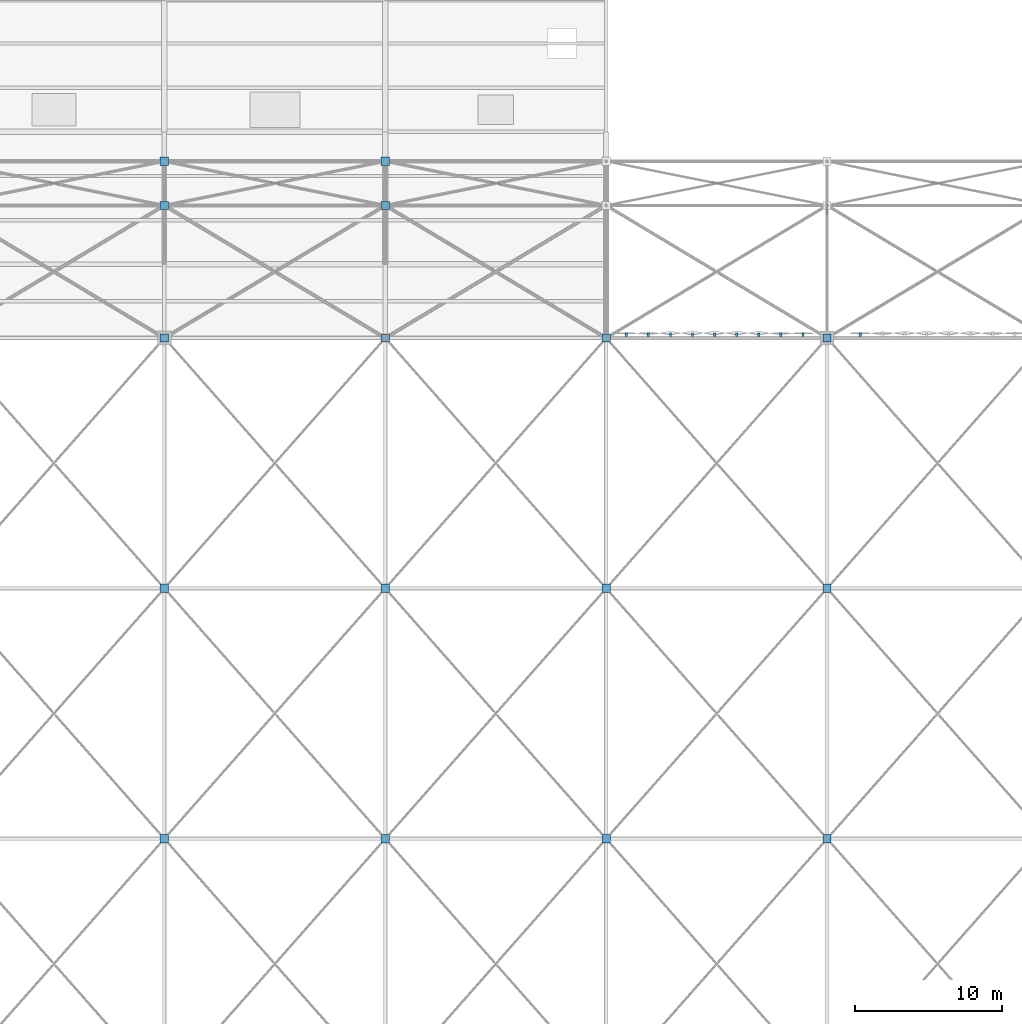
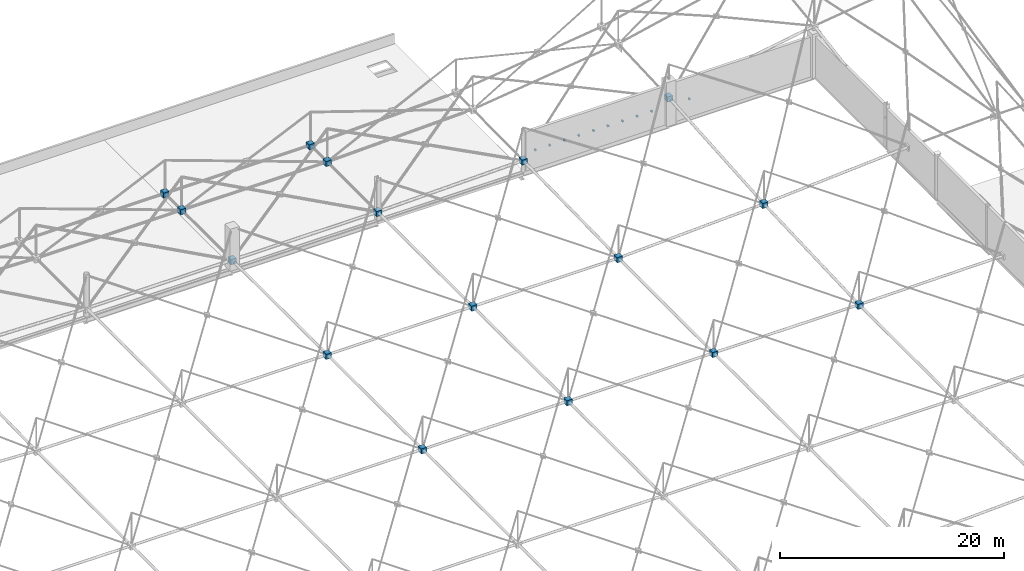
# One storey, part 211 of 224: 26 discrete accessories.
"""IFC4 building model written with IfcOpenShell, lengths in metres."""

from ifc_helpers import new_model, si_unit, direction, frame, origin, origin_2d, place, context, subcontext, project, spatial, rectangle, extrude, material, type_object, element, save


model = new_model("IFC4")

# Units and contexts
model_context = context("Model", 3, precision=1e-05, world=origin(), true_north=direction((0.0, 1.0)))
body_context = subcontext(model_context, "Body", "Model", "MODEL_VIEW")
ifc_project = project(units=[si_unit("LENGTHUNIT", "METRE"), si_unit("AREAUNIT", "SQUARE_METRE"), si_unit("VOLUMEUNIT", "CUBIC_METRE"), si_unit("PLANEANGLEUNIT", "RADIAN"), si_unit("MASSUNIT", "GRAM", prefix="KILO")], contexts=[model_context])

# Site, building, storey
site_placement = place(None, origin())
site = spatial("IfcSite", under=ifc_project, at=site_placement, CompositionType="ELEMENT")
building_placement = place(site_placement, origin())
building = spatial("IfcBuilding", under=site, at=building_placement, Name="Qamarlyn Nura Convention Centre", CompositionType="ELEMENT")
storey_placement = place(building_placement, frame((0.0, 0.0, 10.800048828125)))
storey = spatial("IfcBuildingStorey", under=building, at=storey_placement, Name="L02", CompositionType="ELEMENT", Elevation=10.800048828125)

# Discrete accessories
ifc_material_1 = material(Name="Pearl-white PVDF steel ASTM A500 Grade C", Category="steel")
discrete_accessory_type_1 = type_object("IfcDiscreteAccessoryType", Name="ACC-SF-NODE", PredefinedType="USERDEFINED", material=ifc_material_1)
for number, where, z_axis, x_axis, name in (
    (1, (60.0, 69.0, 0.52001953125), (0.0, 0.0, 1.0), (1.0, 0.0, 0.0), "Cast space frame node BC-6-5"),
    (2, (60.0, 86.0, 0.52001953125), (0.0, 0.0, 1.0), (1.0, 0.0, 0.0), "Cast space frame node BC-6-6"),
    (3, (60.0, 103.0, 0.52001953125), (0.0, 0.0, 1.0), (1.0, 0.0, 0.0), "Cast space frame node BC-6-7"),
    (4, (60.0, 112.0, 0.52001953125), (0.0, 0.0, 1.0), (1.0, 0.0, 0.0), "Cast space frame node BC-6-8"),
    (5, (60.0, 115.0, 0.52001953125), (0.0, 0.0, 1.0), (1.0, 0.0, 0.0), "Cast space frame node BC-6-9"),
    (6, (75.0, 69.0, 0.52001953125), (0.0, 0.0, 1.0), (1.0, 0.0, 0.0), "Cast space frame node BC-7-5"),
    (7, (75.0, 86.0, 0.52001953125), (0.0, 0.0, 1.0), (1.0, 0.0, 0.0), "Cast space frame node BC-7-6"),
    (8, (75.0, 103.0, 0.52001953125), (0.0, 0.0, 1.0), (1.0, 0.0, 0.0), "Cast space frame node BC-7-7"),
    (9, (75.0, 112.0, 0.52001953125), (0.0, 0.0, 1.0), (1.0, 0.0, 0.0), "Cast space frame node BC-7-8"),
    (10, (75.0, 115.0, 0.52001953125), (0.0, 0.0, 1.0), (1.0, 0.0, 0.0), "Cast space frame node BC-7-9"),
    (11, (90.0, 69.0, 0.52001953125), (0.0, 0.0, 1.0), (1.0, 0.0, 0.0), "Cast space frame node BC-8-5"),
    (12, (90.0, 86.0, 0.548828125), (0.0, 0.0, 1.0), (1.0, 0.0, 0.0), "Cast space frame node BC-8-6"),
    (13, (90.0, 103.0, 0.87060546875), (0.0, 0.0, 1.0), (1.0, 0.0, 0.0), "Cast space frame node BC-8-7"),
    (14, (105.0, 69.0, 0.521240234375), (0.0, 0.0, 1.0), (1.0, 0.0, 0.0), "Cast space frame node BC-9-5"),
    (15, (105.0, 86.0, 1.200439453125), (0.0, 0.0, 1.0), (1.0, 0.0, 0.0), "Cast space frame node BC-9-6"),
    (16, (105.0, 103.0, 2.488525390625), (0.0, 0.0, 1.0), (1.0, 0.0, 0.0), "Cast space frame node BC-9-7"),
):
    element("IfcDiscreteAccessory", number, at=place(storey_placement, frame(where, z_axis=z_axis, x_axis=x_axis)), inside=storey, type_object=discrete_accessory_type_1, Name=name, ObjectType="SPACE FRAME NODE", PredefinedType="USERDEFINED", context=body_context, shape_type="SweptSolid", body=[
        extrude(rectangle(XDim=0.56005859375, YDim=0.56005859375, at=origin_2d()), origin(), (0.0, 0.0, 1.0), 0.56005859375),
    ])
ifc_material_2 = material(Name="Marine Grade 316 stainless steel", Category="steel")
discrete_accessory_type_2 = type_object("IfcDiscreteAccessoryType", Name="ACC-TILE-BRK", PredefinedType="BRACKET", material=ifc_material_2)
discrete_accessory_1_placement = place(storey_placement, frame((91.364013671875, 103.217529296875, 1.6201171875), z_axis=(0.0, 0.0, 1.0), x_axis=(0.0, 1.0, 0.0)))
element("IfcDiscreteAccessory", 17, at=discrete_accessory_1_placement, inside=storey, type_object=discrete_accessory_type_2, Name="L02 diamond tile pivot bracket 0287", PredefinedType="BRACKET", context=body_context, shape_type="SweptSolid", body=[
    extrude(rectangle(XDim=0.215087890625, YDim=0.159912109375, at=origin_2d()), origin(), (0.0, 0.0, 1.0), 0.159912109375),
])
discrete_accessory_2_placement = place(storey_placement, frame((92.864013671875, 103.2197265625, 1.6201171875), z_axis=(0.0, 0.0, 1.0), x_axis=(0.0, 1.0, 0.0)))
element("IfcDiscreteAccessory", 18, at=discrete_accessory_2_placement, inside=storey, type_object=discrete_accessory_type_2, Name="L02 diamond tile pivot bracket 0288", PredefinedType="BRACKET", context=body_context, shape_type="SweptSolid", body=[
    extrude(rectangle(XDim=0.219482421875, YDim=0.159912109375, at=origin_2d()), origin(), (0.0, 0.0, 1.0), 0.159912109375),
])
discrete_accessory_3_placement = place(storey_placement, frame((94.364013671875, 103.224365234375, 1.6201171875), z_axis=(0.0, 0.0, 1.0), x_axis=(0.0, 1.0, 0.0)))
element("IfcDiscreteAccessory", 19, at=discrete_accessory_3_placement, inside=storey, type_object=discrete_accessory_type_2, Name="L02 diamond tile pivot bracket 0289", PredefinedType="BRACKET", context=body_context, shape_type="SweptSolid", body=[
    extrude(rectangle(XDim=0.228515625, YDim=0.159912109375, at=origin_2d()), origin(), (0.0, 0.0, 1.0), 0.159912109375),
])
for number, where, z_axis, x_axis, name in (
    (20, (95.864013671875, 103.2265625, 1.6201171875), (0.0, 0.0, 1.0), (0.0, 1.0, 0.0), "L02 diamond tile pivot bracket 0290"),
    (21, (97.364013671875, 103.2265625, 1.6201171875), (0.0, 0.0, 1.0), (0.0, 1.0, 0.0), "L02 diamond tile pivot bracket 0291"),
    (22, (98.864013671875, 103.2265625, 1.6201171875), (0.0, 0.0, 1.0), (0.0, 1.0, 0.0), "L02 diamond tile pivot bracket 0292"),
):
    element("IfcDiscreteAccessory", number, at=place(storey_placement, frame(where, z_axis=z_axis, x_axis=x_axis)), inside=storey, type_object=discrete_accessory_type_2, Name=name, PredefinedType="BRACKET", context=body_context, shape_type="SweptSolid", body=[
        extrude(rectangle(XDim=0.23291015625, YDim=0.159912109375, at=origin_2d()), origin(), (0.0, 0.0, 1.0), 0.159912109375),
    ])
discrete_accessory_4_placement = place(storey_placement, frame((100.364013671875, 103.224365234375, 1.6201171875), z_axis=(0.0, 0.0, 1.0), x_axis=(0.0, 1.0, 0.0)))
element("IfcDiscreteAccessory", 23, at=discrete_accessory_4_placement, inside=storey, type_object=discrete_accessory_type_2, Name="L02 diamond tile pivot bracket 0293", PredefinedType="BRACKET", context=body_context, shape_type="SweptSolid", body=[
    extrude(rectangle(XDim=0.228515625, YDim=0.159912109375, at=origin_2d()), origin(), (0.0, 0.0, 1.0), 0.159912109375),
])
discrete_accessory_5_placement = place(storey_placement, frame((101.864013671875, 103.2197265625, 1.6201171875), z_axis=(0.0, 0.0, 1.0), x_axis=(0.0, 1.0, 0.0)))
element("IfcDiscreteAccessory", 24, at=discrete_accessory_5_placement, inside=storey, type_object=discrete_accessory_type_2, Name="L02 diamond tile pivot bracket 0294", PredefinedType="BRACKET", context=body_context, shape_type="SweptSolid", body=[
    extrude(rectangle(XDim=0.219482421875, YDim=0.159912109375, at=origin_2d()), origin(), (0.0, 0.0, 1.0), 0.159912109375),
])
for number, where, z_axis, x_axis, name in (
    (25, (103.364013671875, 103.217529296875, 1.6201171875), (0.0, 0.0, 1.0), (0.0, 1.0, 0.0), "L02 diamond tile pivot bracket 0295"),
    (26, (107.25, 103.217529296875, 1.6201171875), (0.0, 0.0, 1.0), (0.0, 1.0, 0.0), "L02 diamond tile pivot bracket 0296"),
):
    element("IfcDiscreteAccessory", number, at=place(storey_placement, frame(where, z_axis=z_axis, x_axis=x_axis)), inside=storey, type_object=discrete_accessory_type_2, Name=name, PredefinedType="BRACKET", context=body_context, shape_type="SweptSolid", body=[
        extrude(rectangle(XDim=0.215087890625, YDim=0.159912109375, at=origin_2d()), origin(), (0.0, 0.0, 1.0), 0.159912109375),
    ])

save(model, "model.ifc")
